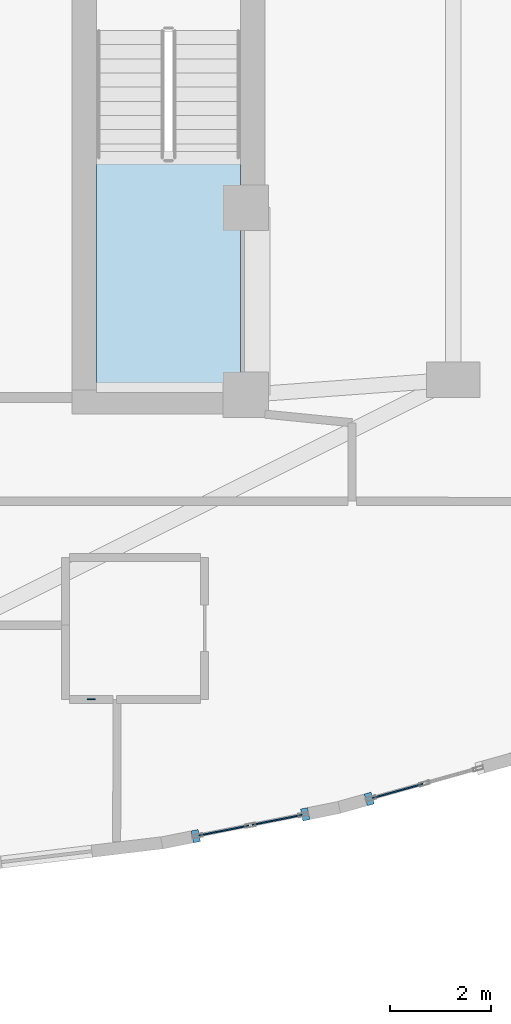
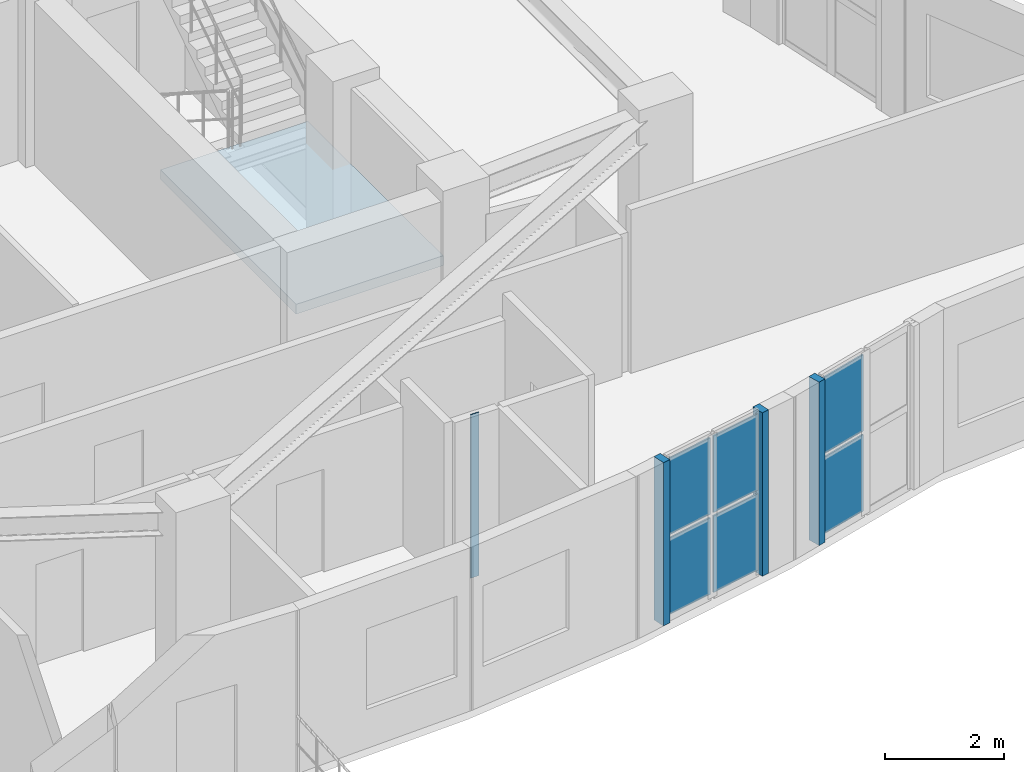
# One storey, part 7 of 15: 10 plates, 1 slab, 3 elements without a shape of their own.
"""IFC4 building model written with IfcOpenShell, lengths in metres."""

from ifc_helpers import new_model, si_unit, direction, frame, origin, origin_2d, place, context, subcontext, project, spatial, polyline, rectangle, outline, extrude, material, layer, layer_set, type_object, element, aggregate, save


model = new_model("IFC4")

# Units and contexts
model_context = context("Model", 3, precision=1e-05, world=origin(), true_north=direction((0.0, 1.0)))
body_context = subcontext(model_context, "Body", "Model", "MODEL_VIEW")
ifc_project = project(units=[si_unit("LENGTHUNIT", "METRE"), si_unit("AREAUNIT", "SQUARE_METRE"), si_unit("VOLUMEUNIT", "CUBIC_METRE"), si_unit("PLANEANGLEUNIT", "RADIAN"), si_unit("MASSUNIT", "GRAM", prefix="KILO")], contexts=[model_context])

# Site, building, storey
site_placement = place(None, origin())
site = spatial("IfcSite", under=ifc_project, at=site_placement, CompositionType="ELEMENT")
building_placement = place(site_placement, origin())
building = spatial("IfcBuilding", under=site, at=building_placement, Name="Miruveldt Soraemaru", CompositionType="ELEMENT")
storey_placement = place(building_placement, frame((0.0, 0.0, 234.0)))
storey = spatial("IfcBuildingStorey", under=building, at=storey_placement, Name="L64", CompositionType="ELEMENT", Elevation=234.0)

# Curtain wall, plates
ifc_material_1 = material(Name="Anodised aluminium EN AW-6063 T6", Category="aluminium")
ifc_layer_1 = layer(ifc_material_1, 0.199951171875, Name="Anodised aluminium EN AW-6063 T6", Category="aluminium")
ifc_layer_set_1 = layer_set([ifc_layer_1], Name="Anodised aluminium EN AW-6063 T6")
curtain_wall_type = type_object("IfcCurtainWallType", Name="CW-SYS-3", PredefinedType="USERDEFINED", material=ifc_layer_set_1)
curtain_wall_1_placement = place(storey_placement, origin())
curtain_wall_1 = element("IfcCurtainWall", 1, at=curtain_wall_1_placement, inside=storey, type_object=curtain_wall_type, Name="L64 Curtain Wall Bay 27", ObjectType="UNITISED GLAZING", PredefinedType="USERDEFINED")
ifc_material_2 = material(Name="Triple low-e insulated glazing", Category="glass")
ifc_layer_2 = layer(ifc_material_2, 0.030029296875, Name="Triple low-e insulated glazing", Category="glass")
ifc_layer_set_2 = layer_set([ifc_layer_2], Name="Triple low-e insulated glazing")
plate_type_1 = type_object("IfcPlateType", Name="CWP-3", PredefinedType="CURTAIN_PANEL", material=ifc_layer_set_2)
plate_1_placement = place(storey_placement, frame((52.071533203125, 26.892822265625, 0.070068359375), z_axis=(0.0, 0.0, 1.0), x_axis=(0.980582419202, 0.196107417382, 0.0)))
plate_1 = element("IfcPlate", 2, at=plate_1_placement, type_object=plate_type_1, Name="CW-3 panel 1.1", PredefinedType="CURTAIN_PANEL", context=body_context, shape_type="SweptSolid", body=[
    extrude(rectangle(XDim=0.998046875, YDim=0.030029296875, at=origin_2d()), origin(), (0.0, 0.0, 1.0), 1.5673828125),
])
plate_2_placement = place(storey_placement, frame((52.071533203125, 26.892822265625, 1.70751953125), z_axis=(0.0, 0.0, 1.0), x_axis=(0.980582419202, 0.196107417382, 0.0)))
plate_2 = element("IfcPlate", 3, at=plate_2_placement, type_object=plate_type_1, Name="CW-3 panel 1.2", PredefinedType="CURTAIN_PANEL", context=body_context, shape_type="SweptSolid", body=[
    extrude(rectangle(XDim=0.998046875, YDim=0.030029296875, at=origin_2d()), origin(), (0.0, 0.0, 1.0), 1.5673828125),
])
plate_3_placement = place(storey_placement, frame((53.118896484375, 27.102294921875, 0.070068359375), z_axis=(0.0, 0.0, 1.0), x_axis=(0.980582419202, 0.196107417382, 0.0)))
plate_3 = element("IfcPlate", 4, at=plate_3_placement, type_object=plate_type_1, Name="CW-3 panel 2.1", PredefinedType="CURTAIN_PANEL", context=body_context, shape_type="SweptSolid", body=[
    extrude(rectangle(XDim=0.998046875, YDim=0.030029296875, at=origin_2d()), origin(), (0.0, 0.0, 1.0), 1.5673828125),
])
plate_4_placement = place(storey_placement, frame((53.118896484375, 27.102294921875, 1.70751953125), z_axis=(0.0, 0.0, 1.0), x_axis=(0.980582419202, 0.196107417382, 0.0)))
plate_4 = element("IfcPlate", 5, at=plate_4_placement, type_object=plate_type_1, Name="CW-3 panel 2.2", PredefinedType="CURTAIN_PANEL", context=body_context, shape_type="SweptSolid", body=[
    extrude(rectangle(XDim=0.998046875, YDim=0.030029296875, at=origin_2d()), origin(), (0.0, 0.0, 1.0), 1.5673828125),
])
aggregate(curtain_wall_1, [plate_1, plate_2, plate_3, plate_4])

curtain_wall_2_placement = place(storey_placement, origin())
curtain_wall_2 = element("IfcCurtainWall", 6, at=curtain_wall_2_placement, inside=storey, type_object=curtain_wall_type, Name="L64 Curtain Wall Bay 28", ObjectType="UNITISED GLAZING", PredefinedType="USERDEFINED")
plate_5_placement = place(storey_placement, frame((55.503662109375, 27.67431640625, 0.070068359375), z_axis=(0.0, 0.0, 1.0), x_axis=(0.962973169394, 0.269597245955, 0.0)))
plate_5 = element("IfcPlate", 7, at=plate_5_placement, type_object=plate_type_1, Name="CW-3 panel 1.1", PredefinedType="CURTAIN_PANEL", context=body_context, shape_type="SweptSolid", body=[
    extrude(rectangle(XDim=1.030029296875, YDim=0.030029296875, at=origin_2d()), origin(), (0.0, 0.0, 1.0), 1.5673828125),
])
plate_6_placement = place(storey_placement, frame((55.503662109375, 27.67431640625, 1.70751953125), z_axis=(0.0, 0.0, 1.0), x_axis=(0.962973169394, 0.269597245955, 0.0)))
plate_6 = element("IfcPlate", 8, at=plate_6_placement, type_object=plate_type_1, Name="CW-3 panel 1.2", PredefinedType="CURTAIN_PANEL", context=body_context, shape_type="SweptSolid", body=[
    extrude(rectangle(XDim=1.030029296875, YDim=0.030029296875, at=origin_2d()), origin(), (0.0, 0.0, 1.0), 1.5673828125),
])
aggregate(curtain_wall_2, [plate_5, plate_6])

# Plates
ifc_layer_3 = layer(ifc_material_1, 0.030029296875, Name="Anodised aluminium EN AW-6063 T6", Category="aluminium")
ifc_layer_set_3 = layer_set([ifc_layer_3], Name="Anodised aluminium EN AW-6063 T6")
plate_type_2 = type_object("IfcPlateType", Name="PLT-JAMB-30", PredefinedType="SHEET", material=ifc_layer_set_3)
for number, where, z_axis, x_axis, name in (
    (9, (51.513671875, 26.78125, 0.0), (0.0, 0.0, 1.0), (0.980583867301, 0.196100176415, 0.0), "L64 Curtain Wall Jamb Closure Trim 27JL"),
    (10, (53.6767578125, 27.2138671875, 0.0), (0.0, 0.0, 1.0), (0.980583867301, 0.196100176415, 0.0), "L64 Curtain Wall Jamb Closure Trim 27JR"),
    (11, (54.9404296875, 27.5166015625, 0.0), (0.0, 0.0, 1.0), (0.962965179516, 0.269625783338, 0.0), "L64 Curtain Wall Jamb Closure Trim 28JL"),
):
    element("IfcPlate", number, at=place(storey_placement, frame(where, z_axis=z_axis, x_axis=x_axis)), inside=storey, type_object=plate_type_2, Name=name, PredefinedType="SHEET", context=body_context, shape_type="SweptSolid", body=[
        extrude(rectangle(XDim=0.139892578125, YDim=0.239990234375, at=origin_2d()), origin(), (0.0, 0.0, 1.0), 3.344970703125),
    ])
ifc_layer_4 = layer(ifc_material_1, 0.02001953125, Name="Anodised aluminium EN AW-6063 T6", Category="aluminium")
ifc_layer_set_4 = layer_set([ifc_layer_4], Name="Anodised aluminium EN AW-6063 T6")
plate_type_3 = type_object("IfcPlateType", Name="PLT-PART-TRIM", PredefinedType="SHEET", material=ifc_layer_set_4)
plate_7_placement = place(storey_placement, frame((49.447998046875, 29.486083984375, 0.0), z_axis=(0.0, 0.0, 1.0), x_axis=(1.0, 0.0, 0.0)))
element("IfcPlate", 12, at=plate_7_placement, inside=storey, type_object=plate_type_3, Name="L64 Partition Step Corner Trim Plate 030", PredefinedType="SHEET", context=body_context, shape_type="SweptSolid", body=[
    extrude(rectangle(XDim=0.159912109375, YDim=0.02001953125, at=origin_2d()), origin(), (0.0, 0.0, 1.0), 3.344970703125),
])

# Stair, slab
ifc_material_3 = material(Name="Concrete C40/50 (40 MPa)", Category="concrete")
stair_type = type_object("IfcStairType", Name="STAIR-DL-360", PredefinedType="HALF_TURN_STAIR", material=ifc_material_3)
stair_placement = place(storey_placement, origin())
stair = element("IfcStair", 13, at=stair_placement, inside=storey, type_object=stair_type, Name="L64 Protected Exit Stair ST-2", PredefinedType="HALF_TURN_STAIR")
ifc_layer_5 = layer(ifc_material_3, 0.199951171875, Name="Concrete C40/50 (40 MPa)", Category="concrete")
ifc_layer_set_5 = layer_set([ifc_layer_5], Name="Concrete C40/50 (40 MPa)")
slab_type = type_object("IfcSlabType", Name="SLAB-LAND-200", PredefinedType="LANDING", material=ifc_layer_set_5)
slab_placement = place(storey_placement, frame((0.0, 0.0, 1.60009765625)))
slab = element("IfcSlab", 14, at=slab_placement, type_object=slab_type, Name="ST-2 landing 1", PredefinedType="LANDING", context=body_context, shape_type="SweptSolid", body=[
    extrude(outline(polyline([(49.550048828125, 40.197998046875), (49.550048828125, 35.64990234375), (52.39990234375, 35.64990234375), (52.39990234375, 40.197998046875), (49.550048828125, 40.197998046875)])), origin(), (0.0, 0.0, 1.0), 0.199951171875),
])
aggregate(stair, [slab])

save(model, "model.ifc")
